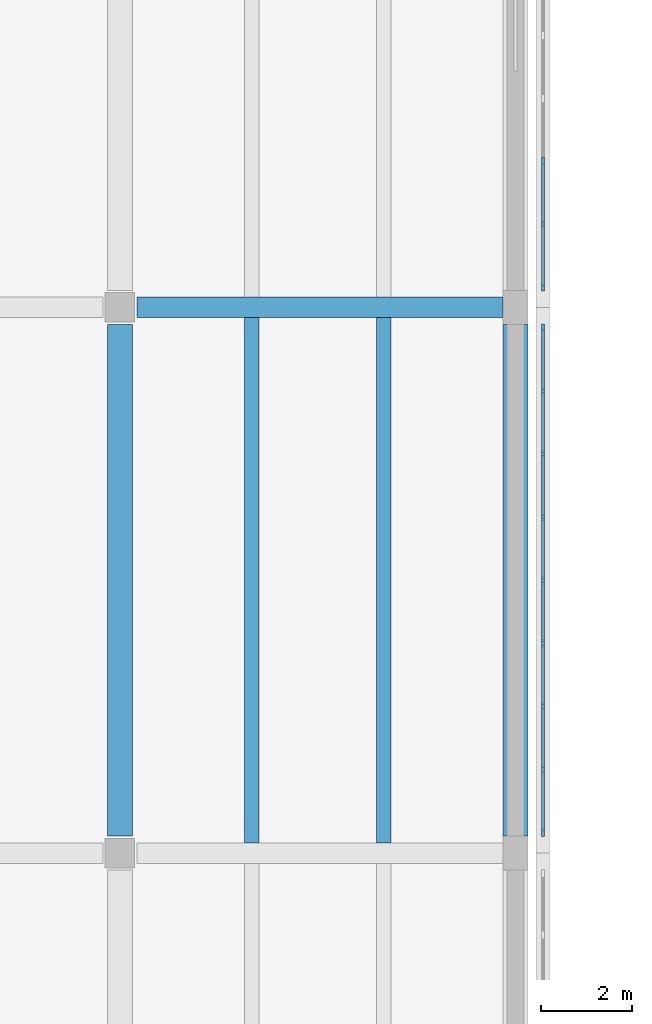
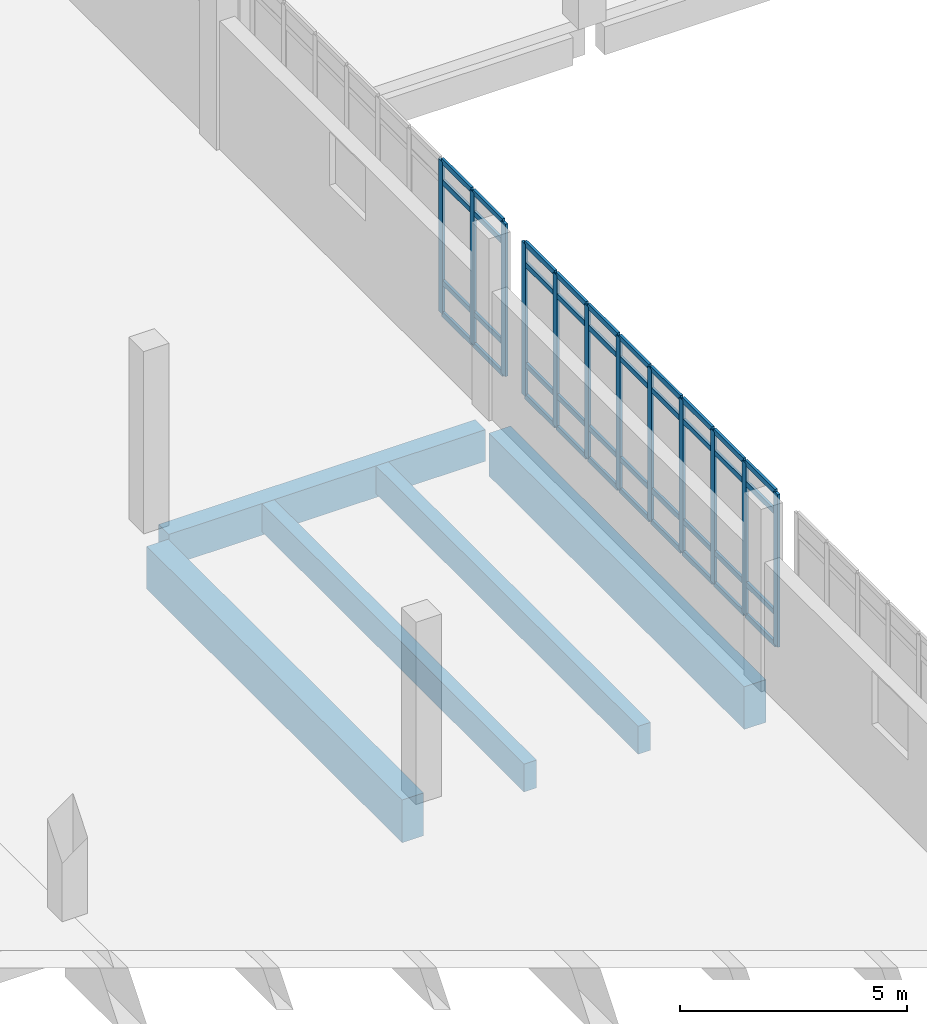
# One storey, part 25 of 110: 52 members, 5 beams, 2 elements without a shape of their own.
"""IFC4 building model written with IfcOpenShell, lengths in metres."""

from ifc_helpers import new_model, si_unit, direction, frame, origin, origin_2d, place, context, subcontext, project, spatial, rectangle, extrude, material, layer, layer_set, material_profile, profile_set, type_object, element, aggregate, save


model = new_model("IFC4")

# Units and contexts
model_context = context("Model", 3, precision=1e-05, world=origin(), true_north=direction((0.0, 1.0)))
body_context = subcontext(model_context, "Body", "Model", "MODEL_VIEW")
ifc_project = project(units=[si_unit("LENGTHUNIT", "METRE"), si_unit("AREAUNIT", "SQUARE_METRE"), si_unit("VOLUMEUNIT", "CUBIC_METRE"), si_unit("PLANEANGLEUNIT", "RADIAN"), si_unit("MASSUNIT", "GRAM", prefix="KILO")], contexts=[model_context])

# Site, building, storey
site_placement = place(None, origin())
site = spatial("IfcSite", under=ifc_project, at=site_placement, CompositionType="ELEMENT")
building_placement = place(site_placement, origin())
building = spatial("IfcBuilding", under=site, at=building_placement, Name="Zacnel Wholesale Market", CompositionType="ELEMENT")
storey_placement = place(building_placement, frame((0.0, 0.0, 6.300048828125)))
storey = spatial("IfcBuildingStorey", under=building, at=storey_placement, Name="L02", CompositionType="ELEMENT", Elevation=6.300048828125)

# Beams
ifc_material_1 = material(Name="Precast concrete C45/55", Category="concrete")
ifc_material_profile_1 = material_profile(ifc_material_1, rectangle(XDim=0.320068359375, YDim=0.75, at=origin_2d()), Name="DT RIB 320x750")
ifc_profile_set_1 = profile_set([ifc_material_profile_1], Name="Precast concrete C45/55")
beam_type_1 = type_object("IfcBeamType", Name="BM-DT750", PredefinedType="JOIST", material=ifc_profile_set_1)
for number, where, z_axis, x_axis, name in (
    (1, (65.89990234375, 108.22509765625, -0.695068359375), (0.0, 1.0, 0.0), (-1.0, 0.0, 0.0), "Precast secondary joist L02-0299"),
    (2, (68.800048828125, 108.22509765625, -0.695068359375), (0.0, 1.0, 0.0), (-1.0, 0.0, 0.0), "Precast secondary joist L02-0300"),
):
    element("IfcBeam", number, at=place(storey_placement, frame(where, z_axis=z_axis, x_axis=x_axis)), inside=storey, type_object=beam_type_1, Name=name, PredefinedType="JOIST", context=body_context, shape_type="SweptSolid", body=[
        extrude(rectangle(XDim=0.320068359375, YDim=0.75, at=origin_2d()), origin(), (0.0, 0.0, 1.0), 11.5498046875),
    ])
ifc_material_2 = material(Name="Precast concrete C45/55", Category="concrete")
ifc_material_profile_2 = material_profile(ifc_material_2, rectangle(XDim=0.550048828125, YDim=1.14990234375, at=origin_2d()), Name="PG 550x1150")
ifc_profile_set_2 = profile_set([ifc_material_profile_2], Name="Precast concrete C45/55")
beam_type_2 = type_object("IfcBeamType", Name="BM-PG1150", PredefinedType="T_BEAM", material=ifc_profile_set_2)
for number, where, z_axis, x_axis, name in (
    (3, (63.0, 108.375, -0.89501953125), (0.0, 1.0, 0.0), (-1.0, 0.0, 0.0), "Precast girder Y-0398"),
    (4, (71.699951171875, 108.375, -0.89501953125), (0.0, 1.0, 0.0), (-1.0, 0.0, 0.0), "Precast girder Y-0413"),
):
    element("IfcBeam", number, at=place(storey_placement, frame(where, z_axis=z_axis, x_axis=x_axis)), inside=storey, type_object=beam_type_2, Name=name, PredefinedType="T_BEAM", context=body_context, shape_type="SweptSolid", body=[
        extrude(rectangle(XDim=0.550048828125, YDim=1.14990234375, at=origin_2d()), origin(), (0.0, 0.0, 1.0), 11.25),
    ])
ifc_material_3 = material(Name="Precast concrete C45/55", Category="concrete")
ifc_material_profile_3 = material_profile(ifc_material_3, rectangle(XDim=0.449951171875, YDim=0.85009765625, at=origin_2d()), Name="PG 450x850")
ifc_profile_set_3 = profile_set([ifc_material_profile_3], Name="Precast concrete C45/55")
beam_type_3 = type_object("IfcBeamType", Name="BM-PG850", PredefinedType="BEAM", material=ifc_profile_set_3)
beam_placement = place(storey_placement, frame((63.375, 120.0, -0.7451171875), z_axis=(1.0, 0.0, 0.0), x_axis=(0.0, 1.0, 0.0)))
element("IfcBeam", 5, at=beam_placement, inside=storey, type_object=beam_type_3, Name="Precast girder X-0257", PredefinedType="BEAM", context=body_context, shape_type="SweptSolid", body=[
    extrude(rectangle(XDim=0.449951171875, YDim=0.85009765625, at=origin_2d()), origin(), (0.0, 0.0, 1.0), 8.050048828125),
])

# Curtain wall, members
ifc_material_4 = material(Name="Anodised aluminium", Category="aluminium")
ifc_layer = layer(ifc_material_4, 0.159912109375)
ifc_layer_set = layer_set([ifc_layer], Name="Anodised aluminium")
curtain_wall_type = type_object("IfcCurtainWallType", Name="CW-NAVE-4200", PredefinedType="NOTDEFINED", material=ifc_layer_set)
curtain_wall_1_placement = place(storey_placement, origin())
curtain_wall_1 = element("IfcCurtainWall", 6, at=curtain_wall_1_placement, inside=storey, type_object=curtain_wall_type, Name="Curtain wall ENV-R2-CW-L02-030", PredefinedType="NOTDEFINED")
ifc_material_5 = material(Name="Anodised aluminium", Category="aluminium")
ifc_material_profile_4 = material_profile(ifc_material_5, rectangle(XDim=0.06494140625, YDim=0.179931640625, at=origin_2d()), Name="AW-MULLION 65x180")
ifc_profile_set_4 = profile_set([ifc_material_profile_4], Name="Anodised aluminium")
member_type_1 = type_object("IfcMemberType", Name="CWM-MUL-03", PredefinedType="MULLION", material=ifc_profile_set_4)
member_1_placement = place(storey_placement, frame((72.300048828125, 108.449951171875, 0.449951171875), z_axis=(0.0, 0.0, 1.0), x_axis=(1.0, 0.0, 0.0)))
member_1 = element("IfcMember", 7, at=member_1_placement, type_object=member_type_1, Name="ENV-R2-CW-L02-030 mullion 01", PredefinedType="MULLION", context=body_context, shape_type="SweptSolid", body=[
    extrude(rectangle(XDim=0.06494140625, YDim=0.179931640625, at=origin_2d()), origin(), (0.0, 0.0, 1.0), 4.10009765625),
])
member_2_placement = place(storey_placement, frame((72.300048828125, 109.83740234375, 0.449951171875), z_axis=(0.0, 0.0, 1.0), x_axis=(1.0, 0.0, 0.0)))
member_2 = element("IfcMember", 8, at=member_2_placement, type_object=member_type_1, Name="ENV-R2-CW-L02-030 mullion 02", PredefinedType="MULLION", context=body_context, shape_type="SweptSolid", body=[
    extrude(rectangle(XDim=0.06494140625, YDim=0.179931640625, at=origin_2d()), origin(), (0.0, 0.0, 1.0), 4.10009765625),
])
member_3_placement = place(storey_placement, frame((72.300048828125, 111.22509765625, 0.449951171875), z_axis=(0.0, 0.0, 1.0), x_axis=(1.0, 0.0, 0.0)))
member_3 = element("IfcMember", 9, at=member_3_placement, type_object=member_type_1, Name="ENV-R2-CW-L02-030 mullion 03", PredefinedType="MULLION", context=body_context, shape_type="SweptSolid", body=[
    extrude(rectangle(XDim=0.06494140625, YDim=0.179931640625, at=origin_2d()), origin(), (0.0, 0.0, 1.0), 4.10009765625),
])
member_4_placement = place(storey_placement, frame((72.300048828125, 112.612548828125, 0.449951171875), z_axis=(0.0, 0.0, 1.0), x_axis=(1.0, 0.0, 0.0)))
member_4 = element("IfcMember", 10, at=member_4_placement, type_object=member_type_1, Name="ENV-R2-CW-L02-030 mullion 04", PredefinedType="MULLION", context=body_context, shape_type="SweptSolid", body=[
    extrude(rectangle(XDim=0.06494140625, YDim=0.179931640625, at=origin_2d()), origin(), (0.0, 0.0, 1.0), 4.10009765625),
])
member_5_placement = place(storey_placement, frame((72.300048828125, 114.0, 0.449951171875), z_axis=(0.0, 0.0, 1.0), x_axis=(1.0, 0.0, 0.0)))
member_5 = element("IfcMember", 11, at=member_5_placement, type_object=member_type_1, Name="ENV-R2-CW-L02-030 mullion 05", PredefinedType="MULLION", context=body_context, shape_type="SweptSolid", body=[
    extrude(rectangle(XDim=0.06494140625, YDim=0.179931640625, at=origin_2d()), origin(), (0.0, 0.0, 1.0), 4.10009765625),
])
member_6_placement = place(storey_placement, frame((72.300048828125, 115.387451171875, 0.449951171875), z_axis=(0.0, 0.0, 1.0), x_axis=(1.0, 0.0, 0.0)))
member_6 = element("IfcMember", 12, at=member_6_placement, type_object=member_type_1, Name="ENV-R2-CW-L02-030 mullion 06", PredefinedType="MULLION", context=body_context, shape_type="SweptSolid", body=[
    extrude(rectangle(XDim=0.06494140625, YDim=0.179931640625, at=origin_2d()), origin(), (0.0, 0.0, 1.0), 4.10009765625),
])
member_7_placement = place(storey_placement, frame((72.300048828125, 116.77490234375, 0.449951171875), z_axis=(0.0, 0.0, 1.0), x_axis=(1.0, 0.0, 0.0)))
member_7 = element("IfcMember", 13, at=member_7_placement, type_object=member_type_1, Name="ENV-R2-CW-L02-030 mullion 07", PredefinedType="MULLION", context=body_context, shape_type="SweptSolid", body=[
    extrude(rectangle(XDim=0.06494140625, YDim=0.179931640625, at=origin_2d()), origin(), (0.0, 0.0, 1.0), 4.10009765625),
])
member_8_placement = place(storey_placement, frame((72.300048828125, 118.16259765625, 0.449951171875), z_axis=(0.0, 0.0, 1.0), x_axis=(1.0, 0.0, 0.0)))
member_8 = element("IfcMember", 14, at=member_8_placement, type_object=member_type_1, Name="ENV-R2-CW-L02-030 mullion 08", PredefinedType="MULLION", context=body_context, shape_type="SweptSolid", body=[
    extrude(rectangle(XDim=0.06494140625, YDim=0.179931640625, at=origin_2d()), origin(), (0.0, 0.0, 1.0), 4.10009765625),
])
member_9_placement = place(storey_placement, frame((72.300048828125, 119.550048828125, 0.449951171875), z_axis=(0.0, 0.0, 1.0), x_axis=(1.0, 0.0, 0.0)))
member_9 = element("IfcMember", 15, at=member_9_placement, type_object=member_type_1, Name="ENV-R2-CW-L02-030 mullion 09", PredefinedType="MULLION", context=body_context, shape_type="SweptSolid", body=[
    extrude(rectangle(XDim=0.06494140625, YDim=0.179931640625, at=origin_2d()), origin(), (0.0, 0.0, 1.0), 4.10009765625),
])

curtain_wall_2_placement = place(storey_placement, origin())
curtain_wall_2 = element("IfcCurtainWall", 16, at=curtain_wall_2_placement, inside=storey, type_object=curtain_wall_type, Name="Curtain wall ENV-R2-CW-L02-031", PredefinedType="NOTDEFINED")
member_10_placement = place(storey_placement, frame((72.300048828125, 120.449951171875, 0.449951171875), z_axis=(0.0, 0.0, 1.0), x_axis=(1.0, 0.0, 0.0)))
member_10 = element("IfcMember", 17, at=member_10_placement, type_object=member_type_1, Name="ENV-R2-CW-L02-031 mullion 01", PredefinedType="MULLION", context=body_context, shape_type="SweptSolid", body=[
    extrude(rectangle(XDim=0.06494140625, YDim=0.179931640625, at=origin_2d()), origin(), (0.0, 0.0, 1.0), 4.10009765625),
])
member_11_placement = place(storey_placement, frame((72.300048828125, 121.831787109375, 0.449951171875), z_axis=(0.0, 0.0, 1.0), x_axis=(1.0, 0.0, 0.0)))
member_11 = element("IfcMember", 18, at=member_11_placement, type_object=member_type_1, Name="ENV-R2-CW-L02-031 mullion 02", PredefinedType="MULLION", context=body_context, shape_type="SweptSolid", body=[
    extrude(rectangle(XDim=0.06494140625, YDim=0.179931640625, at=origin_2d()), origin(), (0.0, 0.0, 1.0), 4.10009765625),
])
member_12_placement = place(storey_placement, frame((72.300048828125, 123.2138671875, 0.449951171875), z_axis=(0.0, 0.0, 1.0), x_axis=(1.0, 0.0, 0.0)))
member_12 = element("IfcMember", 19, at=member_12_placement, type_object=member_type_1, Name="ENV-R2-CW-L02-031 mullion 03", PredefinedType="MULLION", context=body_context, shape_type="SweptSolid", body=[
    extrude(rectangle(XDim=0.06494140625, YDim=0.179931640625, at=origin_2d()), origin(), (0.0, 0.0, 1.0), 4.10009765625),
])

# Member
ifc_material_6 = material(Name="Anodised aluminium", Category="aluminium")
ifc_material_profile_5 = material_profile(ifc_material_6, rectangle(XDim=0.06494140625, YDim=0.139892578125, at=origin_2d()), Name="AW-TRANSOM 65x140")
ifc_profile_set_5 = profile_set([ifc_material_profile_5], Name="Anodised aluminium")
member_type_2 = type_object("IfcMemberType", Name="CWM-TRN-03", PredefinedType="USERDEFINED", material=ifc_profile_set_5)
member_13_placement = place(storey_placement, frame((72.300048828125, 108.485107421875, 0.449951171875), z_axis=(0.0, 1.0, 0.0), x_axis=(-1.0, 0.0, 0.0)))
member_13 = element("IfcMember", 20, at=member_13_placement, type_object=member_type_2, Name="ENV-R2-CW-L02-030 transom 1-1", ObjectType="TRANSOM", PredefinedType="USERDEFINED", context=body_context, shape_type="SweptSolid", body=[
    extrude(rectangle(XDim=0.06494140625, YDim=0.139892578125, at=origin_2d()), origin(), (0.0, 0.0, 1.0), 1.3173828125),
])

member_14_placement = place(storey_placement, frame((72.300048828125, 108.485107421875, 1.300048828125), z_axis=(0.0, 1.0, 0.0), x_axis=(-1.0, 0.0, 0.0)))
member_14 = element("IfcMember", 21, at=member_14_placement, type_object=member_type_2, Name="ENV-R2-CW-L02-030 transom 1-2", ObjectType="TRANSOM", PredefinedType="USERDEFINED", context=body_context, shape_type="SweptSolid", body=[
    extrude(rectangle(XDim=0.06494140625, YDim=0.139892578125, at=origin_2d()), origin(), (0.0, 0.0, 1.0), 1.3173828125),
])

member_15_placement = place(storey_placement, frame((72.300048828125, 108.485107421875, 4.0), z_axis=(0.0, 1.0, 0.0), x_axis=(-1.0, 0.0, 0.0)))
member_15 = element("IfcMember", 22, at=member_15_placement, type_object=member_type_2, Name="ENV-R2-CW-L02-030 transom 1-3", ObjectType="TRANSOM", PredefinedType="USERDEFINED", context=body_context, shape_type="SweptSolid", body=[
    extrude(rectangle(XDim=0.06494140625, YDim=0.139892578125, at=origin_2d()), origin(), (0.0, 0.0, 1.0), 1.3173828125),
])

member_16_placement = place(storey_placement, frame((72.300048828125, 108.485107421875, 4.550048828125), z_axis=(0.0, 1.0, 0.0), x_axis=(-1.0, 0.0, 0.0)))
member_16 = element("IfcMember", 23, at=member_16_placement, type_object=member_type_2, Name="ENV-R2-CW-L02-030 transom 1-4", ObjectType="TRANSOM", PredefinedType="USERDEFINED", context=body_context, shape_type="SweptSolid", body=[
    extrude(rectangle(XDim=0.06494140625, YDim=0.139892578125, at=origin_2d()), origin(), (0.0, 0.0, 1.0), 1.3173828125),
])

member_17_placement = place(storey_placement, frame((72.300048828125, 109.87255859375, 0.449951171875), z_axis=(0.0, 1.0, 0.0), x_axis=(-1.0, 0.0, 0.0)))
member_17 = element("IfcMember", 24, at=member_17_placement, type_object=member_type_2, Name="ENV-R2-CW-L02-030 transom 2-1", ObjectType="TRANSOM", PredefinedType="USERDEFINED", context=body_context, shape_type="SweptSolid", body=[
    extrude(rectangle(XDim=0.06494140625, YDim=0.139892578125, at=origin_2d()), origin(), (0.0, 0.0, 1.0), 1.3173828125),
])

member_18_placement = place(storey_placement, frame((72.300048828125, 109.87255859375, 1.300048828125), z_axis=(0.0, 1.0, 0.0), x_axis=(-1.0, 0.0, 0.0)))
member_18 = element("IfcMember", 25, at=member_18_placement, type_object=member_type_2, Name="ENV-R2-CW-L02-030 transom 2-2", ObjectType="TRANSOM", PredefinedType="USERDEFINED", context=body_context, shape_type="SweptSolid", body=[
    extrude(rectangle(XDim=0.06494140625, YDim=0.139892578125, at=origin_2d()), origin(), (0.0, 0.0, 1.0), 1.3173828125),
])

member_19_placement = place(storey_placement, frame((72.300048828125, 109.87255859375, 4.0), z_axis=(0.0, 1.0, 0.0), x_axis=(-1.0, 0.0, 0.0)))
member_19 = element("IfcMember", 26, at=member_19_placement, type_object=member_type_2, Name="ENV-R2-CW-L02-030 transom 2-3", ObjectType="TRANSOM", PredefinedType="USERDEFINED", context=body_context, shape_type="SweptSolid", body=[
    extrude(rectangle(XDim=0.06494140625, YDim=0.139892578125, at=origin_2d()), origin(), (0.0, 0.0, 1.0), 1.3173828125),
])

member_20_placement = place(storey_placement, frame((72.300048828125, 109.87255859375, 4.550048828125), z_axis=(0.0, 1.0, 0.0), x_axis=(-1.0, 0.0, 0.0)))
member_20 = element("IfcMember", 27, at=member_20_placement, type_object=member_type_2, Name="ENV-R2-CW-L02-030 transom 2-4", ObjectType="TRANSOM", PredefinedType="USERDEFINED", context=body_context, shape_type="SweptSolid", body=[
    extrude(rectangle(XDim=0.06494140625, YDim=0.139892578125, at=origin_2d()), origin(), (0.0, 0.0, 1.0), 1.3173828125),
])

member_21_placement = place(storey_placement, frame((72.300048828125, 111.260009765625, 0.449951171875), z_axis=(0.0, 1.0, 0.0), x_axis=(-1.0, 0.0, 0.0)))
member_21 = element("IfcMember", 28, at=member_21_placement, type_object=member_type_2, Name="ENV-R2-CW-L02-030 transom 3-1", ObjectType="TRANSOM", PredefinedType="USERDEFINED", context=body_context, shape_type="SweptSolid", body=[
    extrude(rectangle(XDim=0.06494140625, YDim=0.139892578125, at=origin_2d()), origin(), (0.0, 0.0, 1.0), 1.3173828125),
])

member_22_placement = place(storey_placement, frame((72.300048828125, 111.260009765625, 1.300048828125), z_axis=(0.0, 1.0, 0.0), x_axis=(-1.0, 0.0, 0.0)))
member_22 = element("IfcMember", 29, at=member_22_placement, type_object=member_type_2, Name="ENV-R2-CW-L02-030 transom 3-2", ObjectType="TRANSOM", PredefinedType="USERDEFINED", context=body_context, shape_type="SweptSolid", body=[
    extrude(rectangle(XDim=0.06494140625, YDim=0.139892578125, at=origin_2d()), origin(), (0.0, 0.0, 1.0), 1.3173828125),
])

member_23_placement = place(storey_placement, frame((72.300048828125, 111.260009765625, 4.0), z_axis=(0.0, 1.0, 0.0), x_axis=(-1.0, 0.0, 0.0)))
member_23 = element("IfcMember", 30, at=member_23_placement, type_object=member_type_2, Name="ENV-R2-CW-L02-030 transom 3-3", ObjectType="TRANSOM", PredefinedType="USERDEFINED", context=body_context, shape_type="SweptSolid", body=[
    extrude(rectangle(XDim=0.06494140625, YDim=0.139892578125, at=origin_2d()), origin(), (0.0, 0.0, 1.0), 1.3173828125),
])

member_24_placement = place(storey_placement, frame((72.300048828125, 111.260009765625, 4.550048828125), z_axis=(0.0, 1.0, 0.0), x_axis=(-1.0, 0.0, 0.0)))
member_24 = element("IfcMember", 31, at=member_24_placement, type_object=member_type_2, Name="ENV-R2-CW-L02-030 transom 3-4", ObjectType="TRANSOM", PredefinedType="USERDEFINED", context=body_context, shape_type="SweptSolid", body=[
    extrude(rectangle(XDim=0.06494140625, YDim=0.139892578125, at=origin_2d()), origin(), (0.0, 0.0, 1.0), 1.3173828125),
])

member_25_placement = place(storey_placement, frame((72.300048828125, 112.6474609375, 0.449951171875), z_axis=(0.0, 1.0, 0.0), x_axis=(-1.0, 0.0, 0.0)))
member_25 = element("IfcMember", 32, at=member_25_placement, type_object=member_type_2, Name="ENV-R2-CW-L02-030 transom 4-1", ObjectType="TRANSOM", PredefinedType="USERDEFINED", context=body_context, shape_type="SweptSolid", body=[
    extrude(rectangle(XDim=0.06494140625, YDim=0.139892578125, at=origin_2d()), origin(), (0.0, 0.0, 1.0), 1.317626953125),
])

member_26_placement = place(storey_placement, frame((72.300048828125, 112.6474609375, 1.300048828125), z_axis=(0.0, 1.0, 0.0), x_axis=(-1.0, 0.0, 0.0)))
member_26 = element("IfcMember", 33, at=member_26_placement, type_object=member_type_2, Name="ENV-R2-CW-L02-030 transom 4-2", ObjectType="TRANSOM", PredefinedType="USERDEFINED", context=body_context, shape_type="SweptSolid", body=[
    extrude(rectangle(XDim=0.06494140625, YDim=0.139892578125, at=origin_2d()), origin(), (0.0, 0.0, 1.0), 1.317626953125),
])

member_27_placement = place(storey_placement, frame((72.300048828125, 112.6474609375, 4.0), z_axis=(0.0, 1.0, 0.0), x_axis=(-1.0, 0.0, 0.0)))
member_27 = element("IfcMember", 34, at=member_27_placement, type_object=member_type_2, Name="ENV-R2-CW-L02-030 transom 4-3", ObjectType="TRANSOM", PredefinedType="USERDEFINED", context=body_context, shape_type="SweptSolid", body=[
    extrude(rectangle(XDim=0.06494140625, YDim=0.139892578125, at=origin_2d()), origin(), (0.0, 0.0, 1.0), 1.317626953125),
])

member_28_placement = place(storey_placement, frame((72.300048828125, 112.6474609375, 4.550048828125), z_axis=(0.0, 1.0, 0.0), x_axis=(-1.0, 0.0, 0.0)))
member_28 = element("IfcMember", 35, at=member_28_placement, type_object=member_type_2, Name="ENV-R2-CW-L02-030 transom 4-4", ObjectType="TRANSOM", PredefinedType="USERDEFINED", context=body_context, shape_type="SweptSolid", body=[
    extrude(rectangle(XDim=0.06494140625, YDim=0.139892578125, at=origin_2d()), origin(), (0.0, 0.0, 1.0), 1.317626953125),
])

member_29_placement = place(storey_placement, frame((72.300048828125, 114.034912109375, 0.449951171875), z_axis=(0.0, 1.0, 0.0), x_axis=(-1.0, 0.0, 0.0)))
member_29 = element("IfcMember", 36, at=member_29_placement, type_object=member_type_2, Name="ENV-R2-CW-L02-030 transom 5-1", ObjectType="TRANSOM", PredefinedType="USERDEFINED", context=body_context, shape_type="SweptSolid", body=[
    extrude(rectangle(XDim=0.06494140625, YDim=0.139892578125, at=origin_2d()), origin(), (0.0, 0.0, 1.0), 1.317626953125),
])

member_30_placement = place(storey_placement, frame((72.300048828125, 114.034912109375, 1.300048828125), z_axis=(0.0, 1.0, 0.0), x_axis=(-1.0, 0.0, 0.0)))
member_30 = element("IfcMember", 37, at=member_30_placement, type_object=member_type_2, Name="ENV-R2-CW-L02-030 transom 5-2", ObjectType="TRANSOM", PredefinedType="USERDEFINED", context=body_context, shape_type="SweptSolid", body=[
    extrude(rectangle(XDim=0.06494140625, YDim=0.139892578125, at=origin_2d()), origin(), (0.0, 0.0, 1.0), 1.317626953125),
])

member_31_placement = place(storey_placement, frame((72.300048828125, 114.034912109375, 4.0), z_axis=(0.0, 1.0, 0.0), x_axis=(-1.0, 0.0, 0.0)))
member_31 = element("IfcMember", 38, at=member_31_placement, type_object=member_type_2, Name="ENV-R2-CW-L02-030 transom 5-3", ObjectType="TRANSOM", PredefinedType="USERDEFINED", context=body_context, shape_type="SweptSolid", body=[
    extrude(rectangle(XDim=0.06494140625, YDim=0.139892578125, at=origin_2d()), origin(), (0.0, 0.0, 1.0), 1.317626953125),
])

member_32_placement = place(storey_placement, frame((72.300048828125, 114.034912109375, 4.550048828125), z_axis=(0.0, 1.0, 0.0), x_axis=(-1.0, 0.0, 0.0)))
member_32 = element("IfcMember", 39, at=member_32_placement, type_object=member_type_2, Name="ENV-R2-CW-L02-030 transom 5-4", ObjectType="TRANSOM", PredefinedType="USERDEFINED", context=body_context, shape_type="SweptSolid", body=[
    extrude(rectangle(XDim=0.06494140625, YDim=0.139892578125, at=origin_2d()), origin(), (0.0, 0.0, 1.0), 1.317626953125),
])

member_33_placement = place(storey_placement, frame((72.300048828125, 115.422607421875, 0.449951171875), z_axis=(0.0, 1.0, 0.0), x_axis=(-1.0, 0.0, 0.0)))
member_33 = element("IfcMember", 40, at=member_33_placement, type_object=member_type_2, Name="ENV-R2-CW-L02-030 transom 6-1", ObjectType="TRANSOM", PredefinedType="USERDEFINED", context=body_context, shape_type="SweptSolid", body=[
    extrude(rectangle(XDim=0.06494140625, YDim=0.139892578125, at=origin_2d()), origin(), (0.0, 0.0, 1.0), 1.3173828125),
])

member_34_placement = place(storey_placement, frame((72.300048828125, 115.422607421875, 1.300048828125), z_axis=(0.0, 1.0, 0.0), x_axis=(-1.0, 0.0, 0.0)))
member_34 = element("IfcMember", 41, at=member_34_placement, type_object=member_type_2, Name="ENV-R2-CW-L02-030 transom 6-2", ObjectType="TRANSOM", PredefinedType="USERDEFINED", context=body_context, shape_type="SweptSolid", body=[
    extrude(rectangle(XDim=0.06494140625, YDim=0.139892578125, at=origin_2d()), origin(), (0.0, 0.0, 1.0), 1.3173828125),
])

member_35_placement = place(storey_placement, frame((72.300048828125, 115.422607421875, 4.0), z_axis=(0.0, 1.0, 0.0), x_axis=(-1.0, 0.0, 0.0)))
member_35 = element("IfcMember", 42, at=member_35_placement, type_object=member_type_2, Name="ENV-R2-CW-L02-030 transom 6-3", ObjectType="TRANSOM", PredefinedType="USERDEFINED", context=body_context, shape_type="SweptSolid", body=[
    extrude(rectangle(XDim=0.06494140625, YDim=0.139892578125, at=origin_2d()), origin(), (0.0, 0.0, 1.0), 1.3173828125),
])

member_36_placement = place(storey_placement, frame((72.300048828125, 115.422607421875, 4.550048828125), z_axis=(0.0, 1.0, 0.0), x_axis=(-1.0, 0.0, 0.0)))
member_36 = element("IfcMember", 43, at=member_36_placement, type_object=member_type_2, Name="ENV-R2-CW-L02-030 transom 6-4", ObjectType="TRANSOM", PredefinedType="USERDEFINED", context=body_context, shape_type="SweptSolid", body=[
    extrude(rectangle(XDim=0.06494140625, YDim=0.139892578125, at=origin_2d()), origin(), (0.0, 0.0, 1.0), 1.3173828125),
])

member_37_placement = place(storey_placement, frame((72.300048828125, 116.81005859375, 0.449951171875), z_axis=(0.0, 1.0, 0.0), x_axis=(-1.0, 0.0, 0.0)))
member_37 = element("IfcMember", 44, at=member_37_placement, type_object=member_type_2, Name="ENV-R2-CW-L02-030 transom 7-1", ObjectType="TRANSOM", PredefinedType="USERDEFINED", context=body_context, shape_type="SweptSolid", body=[
    extrude(rectangle(XDim=0.06494140625, YDim=0.139892578125, at=origin_2d()), origin(), (0.0, 0.0, 1.0), 1.3173828125),
])

member_38_placement = place(storey_placement, frame((72.300048828125, 116.81005859375, 1.300048828125), z_axis=(0.0, 1.0, 0.0), x_axis=(-1.0, 0.0, 0.0)))
member_38 = element("IfcMember", 45, at=member_38_placement, type_object=member_type_2, Name="ENV-R2-CW-L02-030 transom 7-2", ObjectType="TRANSOM", PredefinedType="USERDEFINED", context=body_context, shape_type="SweptSolid", body=[
    extrude(rectangle(XDim=0.06494140625, YDim=0.139892578125, at=origin_2d()), origin(), (0.0, 0.0, 1.0), 1.3173828125),
])

member_39_placement = place(storey_placement, frame((72.300048828125, 116.81005859375, 4.0), z_axis=(0.0, 1.0, 0.0), x_axis=(-1.0, 0.0, 0.0)))
member_39 = element("IfcMember", 46, at=member_39_placement, type_object=member_type_2, Name="ENV-R2-CW-L02-030 transom 7-3", ObjectType="TRANSOM", PredefinedType="USERDEFINED", context=body_context, shape_type="SweptSolid", body=[
    extrude(rectangle(XDim=0.06494140625, YDim=0.139892578125, at=origin_2d()), origin(), (0.0, 0.0, 1.0), 1.3173828125),
])

member_40_placement = place(storey_placement, frame((72.300048828125, 116.81005859375, 4.550048828125), z_axis=(0.0, 1.0, 0.0), x_axis=(-1.0, 0.0, 0.0)))
member_40 = element("IfcMember", 47, at=member_40_placement, type_object=member_type_2, Name="ENV-R2-CW-L02-030 transom 7-4", ObjectType="TRANSOM", PredefinedType="USERDEFINED", context=body_context, shape_type="SweptSolid", body=[
    extrude(rectangle(XDim=0.06494140625, YDim=0.139892578125, at=origin_2d()), origin(), (0.0, 0.0, 1.0), 1.3173828125),
])

member_41_placement = place(storey_placement, frame((72.300048828125, 118.197509765625, 0.449951171875), z_axis=(0.0, 1.0, 0.0), x_axis=(-1.0, 0.0, 0.0)))
member_41 = element("IfcMember", 48, at=member_41_placement, type_object=member_type_2, Name="ENV-R2-CW-L02-030 transom 8-1", ObjectType="TRANSOM", PredefinedType="USERDEFINED", context=body_context, shape_type="SweptSolid", body=[
    extrude(rectangle(XDim=0.06494140625, YDim=0.139892578125, at=origin_2d()), origin(), (0.0, 0.0, 1.0), 1.3173828125),
])

member_42_placement = place(storey_placement, frame((72.300048828125, 118.197509765625, 1.300048828125), z_axis=(0.0, 1.0, 0.0), x_axis=(-1.0, 0.0, 0.0)))
member_42 = element("IfcMember", 49, at=member_42_placement, type_object=member_type_2, Name="ENV-R2-CW-L02-030 transom 8-2", ObjectType="TRANSOM", PredefinedType="USERDEFINED", context=body_context, shape_type="SweptSolid", body=[
    extrude(rectangle(XDim=0.06494140625, YDim=0.139892578125, at=origin_2d()), origin(), (0.0, 0.0, 1.0), 1.3173828125),
])

member_43_placement = place(storey_placement, frame((72.300048828125, 118.197509765625, 4.0), z_axis=(0.0, 1.0, 0.0), x_axis=(-1.0, 0.0, 0.0)))
member_43 = element("IfcMember", 50, at=member_43_placement, type_object=member_type_2, Name="ENV-R2-CW-L02-030 transom 8-3", ObjectType="TRANSOM", PredefinedType="USERDEFINED", context=body_context, shape_type="SweptSolid", body=[
    extrude(rectangle(XDim=0.06494140625, YDim=0.139892578125, at=origin_2d()), origin(), (0.0, 0.0, 1.0), 1.3173828125),
])

member_44_placement = place(storey_placement, frame((72.300048828125, 118.197509765625, 4.550048828125), z_axis=(0.0, 1.0, 0.0), x_axis=(-1.0, 0.0, 0.0)))
member_44 = element("IfcMember", 51, at=member_44_placement, type_object=member_type_2, Name="ENV-R2-CW-L02-030 transom 8-4", ObjectType="TRANSOM", PredefinedType="USERDEFINED", context=body_context, shape_type="SweptSolid", body=[
    extrude(rectangle(XDim=0.06494140625, YDim=0.139892578125, at=origin_2d()), origin(), (0.0, 0.0, 1.0), 1.3173828125),
])

aggregate(curtain_wall_1, [member_1, member_2, member_3, member_4, member_5, member_6, member_7, member_8, member_9, member_13, member_14, member_15, member_16, member_17, member_18, member_19, member_20, member_21, member_22, member_23, member_24, member_25, member_26, member_27, member_28, member_29, member_30, member_31, member_32, member_33, member_34, member_35, member_36, member_37, member_38, member_39, member_40, member_41, member_42, member_43, member_44])

member_45_placement = place(storey_placement, frame((72.300048828125, 120.485107421875, 0.449951171875), z_axis=(0.0, 1.0, 0.0), x_axis=(-1.0, 0.0, 0.0)))
member_45 = element("IfcMember", 52, at=member_45_placement, type_object=member_type_2, Name="ENV-R2-CW-L02-031 transom 1-1", ObjectType="TRANSOM", PredefinedType="USERDEFINED", context=body_context, shape_type="SweptSolid", body=[
    extrude(rectangle(XDim=0.06494140625, YDim=0.139892578125, at=origin_2d()), origin(), (0.0, 0.0, 1.0), 1.311767578125),
])

member_46_placement = place(storey_placement, frame((72.300048828125, 120.485107421875, 1.300048828125), z_axis=(0.0, 1.0, 0.0), x_axis=(-1.0, 0.0, 0.0)))
member_46 = element("IfcMember", 53, at=member_46_placement, type_object=member_type_2, Name="ENV-R2-CW-L02-031 transom 1-2", ObjectType="TRANSOM", PredefinedType="USERDEFINED", context=body_context, shape_type="SweptSolid", body=[
    extrude(rectangle(XDim=0.06494140625, YDim=0.139892578125, at=origin_2d()), origin(), (0.0, 0.0, 1.0), 1.311767578125),
])

member_47_placement = place(storey_placement, frame((72.300048828125, 120.485107421875, 4.0), z_axis=(0.0, 1.0, 0.0), x_axis=(-1.0, 0.0, 0.0)))
member_47 = element("IfcMember", 54, at=member_47_placement, type_object=member_type_2, Name="ENV-R2-CW-L02-031 transom 1-3", ObjectType="TRANSOM", PredefinedType="USERDEFINED", context=body_context, shape_type="SweptSolid", body=[
    extrude(rectangle(XDim=0.06494140625, YDim=0.139892578125, at=origin_2d()), origin(), (0.0, 0.0, 1.0), 1.311767578125),
])

member_48_placement = place(storey_placement, frame((72.300048828125, 120.485107421875, 4.550048828125), z_axis=(0.0, 1.0, 0.0), x_axis=(-1.0, 0.0, 0.0)))
member_48 = element("IfcMember", 55, at=member_48_placement, type_object=member_type_2, Name="ENV-R2-CW-L02-031 transom 1-4", ObjectType="TRANSOM", PredefinedType="USERDEFINED", context=body_context, shape_type="SweptSolid", body=[
    extrude(rectangle(XDim=0.06494140625, YDim=0.139892578125, at=origin_2d()), origin(), (0.0, 0.0, 1.0), 1.311767578125),
])

member_49_placement = place(storey_placement, frame((72.300048828125, 121.866943359375, 0.449951171875), z_axis=(0.0, 1.0, 0.0), x_axis=(-1.0, 0.0, 0.0)))
member_49 = element("IfcMember", 56, at=member_49_placement, type_object=member_type_2, Name="ENV-R2-CW-L02-031 transom 2-1", ObjectType="TRANSOM", PredefinedType="USERDEFINED", context=body_context, shape_type="SweptSolid", body=[
    extrude(rectangle(XDim=0.06494140625, YDim=0.139892578125, at=origin_2d()), origin(), (0.0, 0.0, 1.0), 1.311767578125),
])

member_50_placement = place(storey_placement, frame((72.300048828125, 121.866943359375, 1.300048828125), z_axis=(0.0, 1.0, 0.0), x_axis=(-1.0, 0.0, 0.0)))
member_50 = element("IfcMember", 57, at=member_50_placement, type_object=member_type_2, Name="ENV-R2-CW-L02-031 transom 2-2", ObjectType="TRANSOM", PredefinedType="USERDEFINED", context=body_context, shape_type="SweptSolid", body=[
    extrude(rectangle(XDim=0.06494140625, YDim=0.139892578125, at=origin_2d()), origin(), (0.0, 0.0, 1.0), 1.311767578125),
])

member_51_placement = place(storey_placement, frame((72.300048828125, 121.866943359375, 4.0), z_axis=(0.0, 1.0, 0.0), x_axis=(-1.0, 0.0, 0.0)))
member_51 = element("IfcMember", 58, at=member_51_placement, type_object=member_type_2, Name="ENV-R2-CW-L02-031 transom 2-3", ObjectType="TRANSOM", PredefinedType="USERDEFINED", context=body_context, shape_type="SweptSolid", body=[
    extrude(rectangle(XDim=0.06494140625, YDim=0.139892578125, at=origin_2d()), origin(), (0.0, 0.0, 1.0), 1.311767578125),
])

member_52_placement = place(storey_placement, frame((72.300048828125, 121.866943359375, 4.550048828125), z_axis=(0.0, 1.0, 0.0), x_axis=(-1.0, 0.0, 0.0)))
member_52 = element("IfcMember", 59, at=member_52_placement, type_object=member_type_2, Name="ENV-R2-CW-L02-031 transom 2-4", ObjectType="TRANSOM", PredefinedType="USERDEFINED", context=body_context, shape_type="SweptSolid", body=[
    extrude(rectangle(XDim=0.06494140625, YDim=0.139892578125, at=origin_2d()), origin(), (0.0, 0.0, 1.0), 1.311767578125),
])

aggregate(curtain_wall_2, [member_10, member_11, member_12, member_45, member_46, member_47, member_48, member_49, member_50, member_51, member_52])

save(model, "model.ifc")
